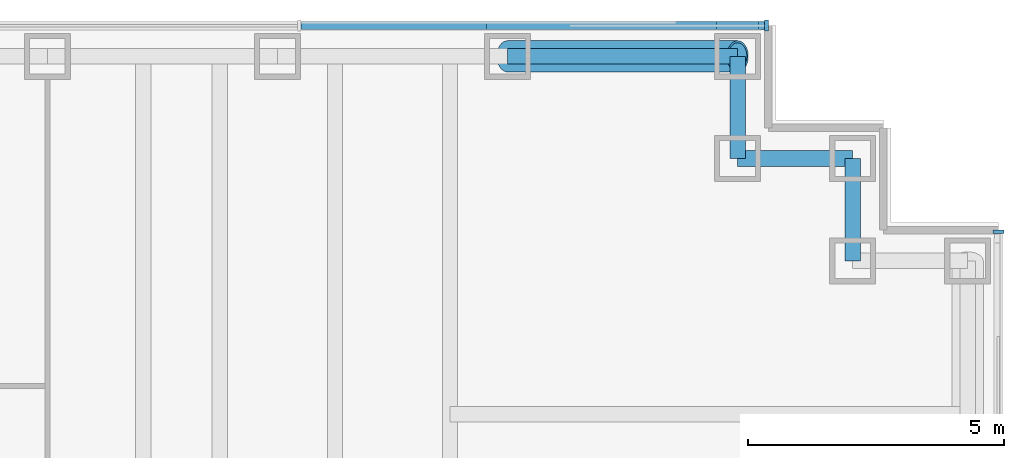
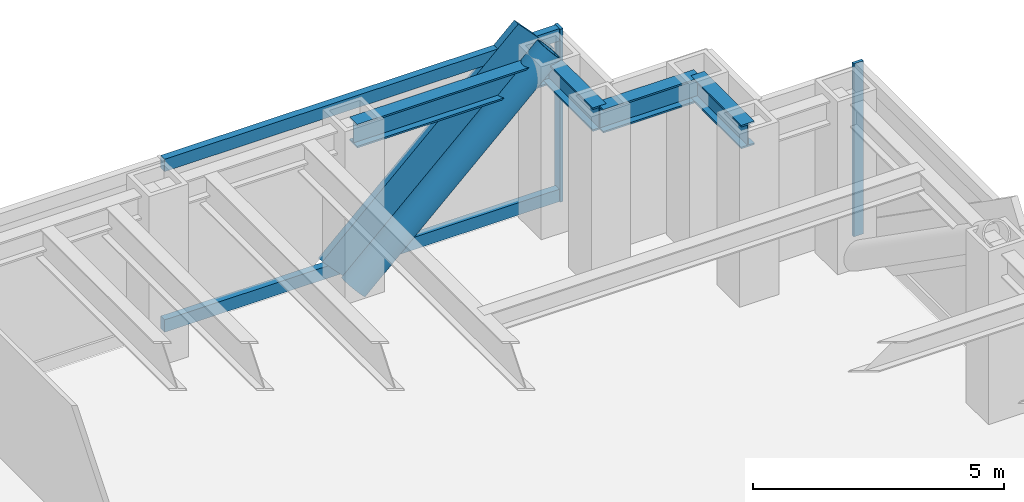
# One storey, part 9 of 17: 6 members, 4 beams, 2 elements without a shape of their own.
"""IFC4 building model written with IfcOpenShell, lengths in metres."""

from ifc_helpers import new_model, si_unit, direction, frame, origin, origin_2d, place, context, subcontext, project, spatial, rectangle, hollow_circle, i_section, extrude, material, material_profile, profile_set, type_object, element, aggregate, save


model = new_model("IFC4")

# Units and contexts
model_context = context("Model", 3, precision=1e-05, world=origin(), true_north=direction((0.0, 1.0)))
body_context = subcontext(model_context, "Body", "Model", "MODEL_VIEW")
ifc_project = project(units=[si_unit("LENGTHUNIT", "METRE"), si_unit("AREAUNIT", "SQUARE_METRE"), si_unit("VOLUMEUNIT", "CUBIC_METRE"), si_unit("PLANEANGLEUNIT", "RADIAN"), si_unit("MASSUNIT", "GRAM", prefix="KILO")], contexts=[model_context])

# Site, building, storey
site_placement = place(None, origin())
site = spatial("IfcSite", under=ifc_project, at=site_placement, CompositionType="ELEMENT")
building_placement = place(site_placement, origin())
building = spatial("IfcBuilding", under=site, at=building_placement, Name="Rheinbord Bourse Tower", CompositionType="ELEMENT")
storey_placement = place(building_placement, frame((0.0, 0.0, 121.5)))
storey = spatial("IfcBuildingStorey", under=building, at=storey_placement, Name="L26", CompositionType="ELEMENT", Elevation=121.5)

# Curtain wall, member
ifc_material_1 = material(Name="Dark glass and black aluminium", Category="aluminium")
curtain_wall_type = type_object("IfcCurtainWallType", Name="CW2 DARK GLASS CURTAIN WALL", PredefinedType="USERDEFINED", material=ifc_material_1)
curtain_wall_1_placement = place(storey_placement, origin())
curtain_wall_1 = element("IfcCurtainWall", 1, at=curtain_wall_1_placement, inside=storey, type_object=curtain_wall_type, Name="Curtain wall CW2 N L26", ObjectType="UNITISED CURTAIN WALL", PredefinedType="USERDEFINED")
ifc_material_2 = material(Name="Black anodised aluminium", Category="aluminium")
ifc_material_profile_1 = material_profile(ifc_material_2, rectangle(XDim=0.159912109375, YDim=1.2099609375, at=origin_2d()), Name="CW2 DIAGONAL MULLION 1210x160")
ifc_profile_set_1 = profile_set([ifc_material_profile_1], Name="Black anodised aluminium")
member_type_1 = type_object("IfcMemberType", Name="CW2 BLACK DIAGONAL MULLION", PredefinedType="USERDEFINED", material=ifc_profile_set_1)
member_1_placement = place(storey_placement, frame((63.0, 46.60009765625, 0.0), z_axis=(0.73105922506, 0.0, 0.682314010889), x_axis=(0.0, 1.0, 0.0)))
member_1 = element("IfcMember", 2, at=member_1_placement, type_object=member_type_1, Name="CW2 diagonal mullion b", ObjectType="DIAGONAL MULLION", PredefinedType="USERDEFINED", context=body_context, shape_type="SweptSolid", body=[
    extrude(rectangle(XDim=0.159912109375, YDim=1.2099609375, at=origin_2d()), origin(), (0.0, 0.0, 1.0), 6.155517578125),
])

curtain_wall_2_placement = place(storey_placement, origin())
curtain_wall_2 = element("IfcCurtainWall", 3, at=curtain_wall_2_placement, inside=storey, type_object=curtain_wall_type, Name="Curtain wall CW2 E L26", ObjectType="UNITISED CURTAIN WALL", PredefinedType="USERDEFINED")
ifc_material_3 = material(Name="Black anodised aluminium", Category="aluminium")
ifc_material_profile_2 = material_profile(ifc_material_3, rectangle(XDim=0.219970703125, YDim=0.070068359375, at=origin_2d()), Name="CW2 MULLION 70x220")
ifc_profile_set_2 = profile_set([ifc_material_profile_2], Name="Black anodised aluminium")
member_type_2 = type_object("IfcMemberType", Name="CW2 BLACK MULLION", PredefinedType="MULLION", material=ifc_profile_set_2)
member_2_placement = place(storey_placement, frame((72.60009765625, 42.56494140625, 0.0), z_axis=(0.0, 0.0, 1.0), x_axis=(-1.0, 0.0, 0.0)))
member_2 = element("IfcMember", 4, at=member_2_placement, type_object=member_type_2, Name="CW2 mullion 6", PredefinedType="MULLION", context=body_context, shape_type="SweptSolid", body=[
    extrude(rectangle(XDim=0.219970703125, YDim=0.070068359375, at=origin_2d()), origin(), (0.0, 0.0, 1.0), 4.199951171875),
])
aggregate(curtain_wall_2, [member_2])

# Member
member_3_placement = place(storey_placement, frame((68.06494140625, 46.60009765625, 0.0), z_axis=(0.0, 0.0, 1.0), x_axis=(0.0, -1.0, 0.0)))
member_3 = element("IfcMember", 5, at=member_3_placement, type_object=member_type_2, Name="CW2 mullion 1", PredefinedType="MULLION", context=body_context, shape_type="SweptSolid", body=[
    extrude(rectangle(XDim=0.219970703125, YDim=0.070068359375, at=origin_2d()), origin(), (0.0, 0.0, 1.0), 4.199951171875),
])

ifc_material_4 = material(Name="Black anodised aluminium", Category="aluminium")
ifc_material_profile_3 = material_profile(ifc_material_4, rectangle(XDim=0.159912109375, YDim=0.300048828125, at=origin_2d()), Name="CW2 TRANSOM 300x160")
ifc_profile_set_3 = profile_set([ifc_material_profile_3], Name="Black anodised aluminium")
member_type_3 = type_object("IfcMemberType", Name="CW2 BLACK TRANSOM", PredefinedType="USERDEFINED", material=ifc_profile_set_3)
member_4_placement = place(storey_placement, frame((68.030029296875, 46.60009765625, 0.14990234375), z_axis=(-1.0, 0.0, 0.0), x_axis=(0.0, -1.0, 0.0)))
member_4 = element("IfcMember", 6, at=member_4_placement, type_object=member_type_3, Name="CW2 transom 1.1", ObjectType="TRANSOM", PredefinedType="USERDEFINED", context=body_context, shape_type="SweptSolid", body=[
    extrude(rectangle(XDim=0.159912109375, YDim=0.300048828125, at=origin_2d()), origin(), (0.0, 0.0, 1.0), 9.06640625),
])

member_5_placement = place(storey_placement, frame((68.030029296875, 46.60009765625, 4.050048828125), z_axis=(-1.0, 0.0, 0.0), x_axis=(0.0, -1.0, 0.0)))
member_5 = element("IfcMember", 7, at=member_5_placement, type_object=member_type_3, Name="CW2 transom 1.2", ObjectType="TRANSOM", PredefinedType="USERDEFINED", context=body_context, shape_type="SweptSolid", body=[
    extrude(rectangle(XDim=0.159912109375, YDim=0.300048828125, at=origin_2d()), origin(), (0.0, 0.0, 1.0), 9.06640625),
])

aggregate(curtain_wall_1, [member_3, member_4, member_5, member_1])

ifc_material_5 = material(Name="Steel S460", Category="steel")
ifc_material_profile_4 = material_profile(ifc_material_5, hollow_circle(Radius=0.304931640625, WallThickness=0.0400390625, at=origin_2d()), Name="CHS 610x40")
ifc_profile_set_4 = profile_set([ifc_material_profile_4], Name="Steel S460")
member_type_4 = type_object("IfcMemberType", Name="MEGABRACE CHS 610x40", PredefinedType="BRACE", material=ifc_profile_set_4)
member_6_placement = place(storey_placement, frame((63.0, 46.0, 0.0), z_axis=(0.73105922506, 0.0, 0.682314010889), x_axis=(0.0, 1.0, 0.0)))
element("IfcMember", 8, at=member_6_placement, inside=storey, type_object=member_type_4, Name="Megabrace N face line b L26", PredefinedType="BRACE", context=body_context, shape_type="SweptSolid", body=[
    extrude(hollow_circle(Radius=0.304931640625, WallThickness=0.0400390625, at=origin_2d()), origin(), (0.0, 0.0, 1.0), 6.155517578125),
])

# Beams
ifc_material_6 = material(Name="Steel S460", Category="steel")
ifc_material_profile_5 = material_profile(ifc_material_6, i_section(OverallWidth=0.305908203125, OverallDepth=0.572021484375, WebThickness=0.02099609375, FlangeThickness=0.0400390625, at=origin_2d()), Name="HEM 550")
ifc_profile_set_5 = profile_set([ifc_material_profile_5], Name="Steel S460")
beam_type = type_object("IfcBeamType", Name="SPANDREL HEM 550", PredefinedType="SPANDREL", material=ifc_profile_set_5)
beam_1_placement = place(storey_placement, frame((69.75, 42.0, 3.75390625), z_axis=(0.0, 1.0, 0.0), x_axis=(-1.0, 0.0, 0.0)))
element("IfcBeam", 9, at=beam_1_placement, inside=storey, type_object=beam_type, Name="Spandrel NE-B-NE-C under L27", PredefinedType="SPANDREL", context=body_context, shape_type="SweptSolid", body=[
    extrude(i_section(OverallWidth=0.305908203125, OverallDepth=0.572021484375, WebThickness=0.02099609375, FlangeThickness=0.0400390625, at=origin_2d()), origin(), (0.0, 0.0, 1.0), 2.0),
])
beam_2_placement = place(storey_placement, frame((69.75, 44.0, 3.75390625), z_axis=(-1.0, 0.0, 0.0), x_axis=(0.0, -1.0, 0.0)))
element("IfcBeam", 10, at=beam_2_placement, inside=storey, type_object=beam_type, Name="Spandrel NE-C-NE-D under L27", PredefinedType="SPANDREL", context=body_context, shape_type="SweptSolid", body=[
    extrude(i_section(OverallWidth=0.305908203125, OverallDepth=0.572021484375, WebThickness=0.02099609375, FlangeThickness=0.0400390625, at=origin_2d()), origin(), (0.0, 0.0, 1.0), 2.25),
])
beam_3_placement = place(storey_placement, frame((67.5, 44.0, 3.75390625), z_axis=(0.0, 1.0, 0.0), x_axis=(-1.0, 0.0, 0.0)))
element("IfcBeam", 11, at=beam_3_placement, inside=storey, type_object=beam_type, Name="Spandrel NE-D-NE-E under L27", PredefinedType="SPANDREL", context=body_context, shape_type="SweptSolid", body=[
    extrude(i_section(OverallWidth=0.305908203125, OverallDepth=0.572021484375, WebThickness=0.02099609375, FlangeThickness=0.0400390625, at=origin_2d()), origin(), (0.0, 0.0, 1.0), 2.0),
])
beam_4_placement = place(storey_placement, frame((67.5, 46.0, 3.75390625), z_axis=(-1.0, 0.0, 0.0), x_axis=(0.0, -1.0, 0.0)))
element("IfcBeam", 12, at=beam_4_placement, inside=storey, type_object=beam_type, Name="Spandrel NE-E-N-63 under L27", PredefinedType="SPANDREL", context=body_context, shape_type="SweptSolid", body=[
    extrude(i_section(OverallWidth=0.305908203125, OverallDepth=0.572021484375, WebThickness=0.02099609375, FlangeThickness=0.0400390625, at=origin_2d()), origin(), (0.0, 0.0, 1.0), 4.5),
])

save(model, "model.ifc")
